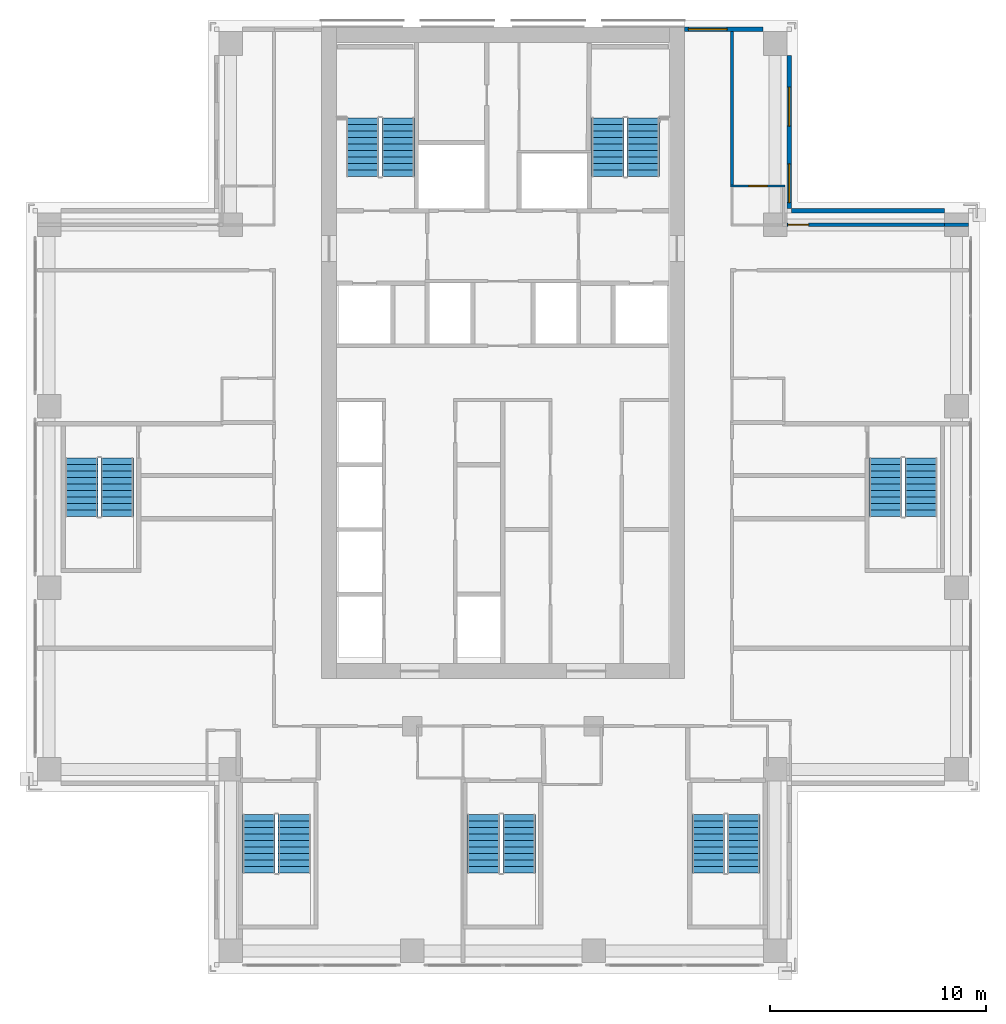
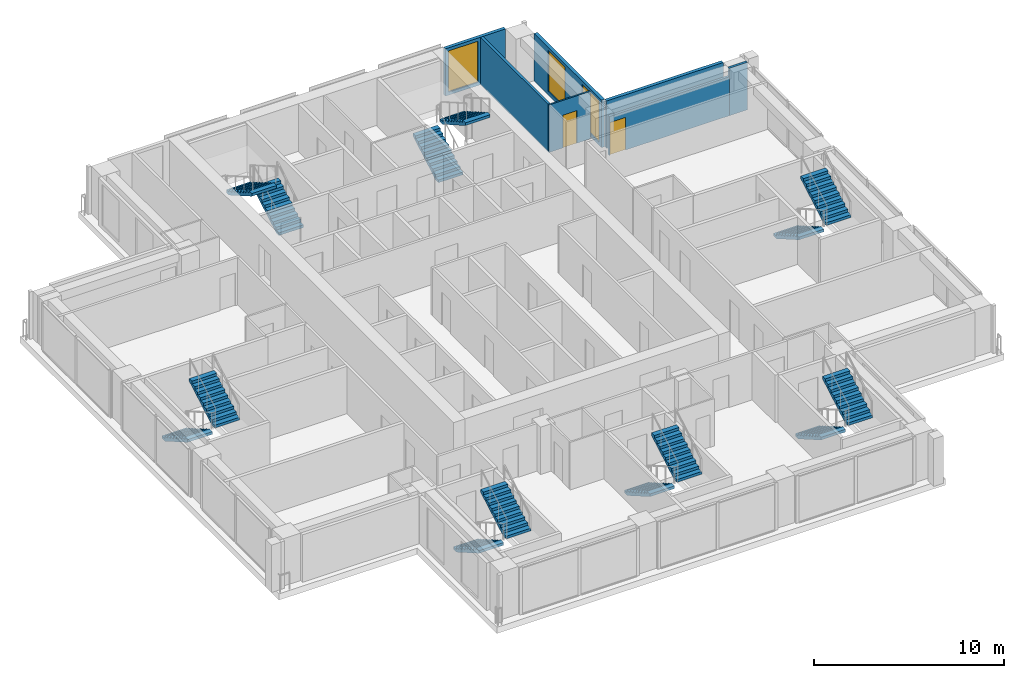
# One storey, part 13 of 16: 14 stair flights, 7 walls, 3 windows, 2 doors, 5 openings, 7 elements without a shape of their own.
"""IFC4 building model written with IfcOpenShell, lengths in metres."""

from ifc_helpers import new_model, si_unit, direction, frame, frame_2d, origin, place, context, subcontext, project, spatial, polyline, rectangle, outline, extrude, material, layer, layer_set, type_object, element, fill, aggregate, save


model = new_model("IFC4")

# Units and contexts
model_context = context("Model", 3, precision=1e-05, world=origin(), true_north=direction((0.0, 1.0)))
body_context = subcontext(model_context, "Body", "Model", "MODEL_VIEW")
ifc_project = project(units=[si_unit("LENGTHUNIT", "METRE"), si_unit("AREAUNIT", "SQUARE_METRE"), si_unit("VOLUMEUNIT", "CUBIC_METRE"), si_unit("PLANEANGLEUNIT", "RADIAN"), si_unit("MASSUNIT", "GRAM", prefix="KILO")], contexts=[model_context])

# Site, building, storey
site_placement = place(None, origin())
site = spatial("IfcSite", under=ifc_project, at=site_placement, CompositionType="ELEMENT")
building_placement = place(site_placement, origin())
building = spatial("IfcBuilding", under=site, at=building_placement, Name="Vermilion Ogive Tower", CompositionType="ELEMENT")
storey_placement = place(building_placement, frame((0.0, 0.0, 136.550048828125)))
storey = spatial("IfcBuildingStorey", under=building, at=storey_placement, Name="L34", CompositionType="ELEMENT", Elevation=136.550048828125)

# Wall, opening, door
ifc_material_1 = material(Name="Gypsum board partition on steel studs", Category="steel")
ifc_layer_1 = layer(ifc_material_1, 0.10009765625)
ifc_layer_set_1 = layer_set([ifc_layer_1], Name="Partition 100 bath")
wall_type_1 = type_object("IfcWallType", Name="Partition 100 bath", PredefinedType="PARTITIONING", material=ifc_layer_set_1)
wall_1_placement = place(storey_placement, frame((10.52490234375, 14.39990234375, 0.0), z_axis=(0.0, 0.0, 1.0), x_axis=(1.0, 0.0, 0.0)))
wall_1 = element("IfcWall", 1, at=wall_1_placement, inside=storey, type_object=wall_type_1, Name="L34-W-W036", PredefinedType="PARTITIONING", context=body_context, shape_type="SweptSolid", body=[
    extrude(rectangle(XDim=2.525146484375, YDim=0.10009765625, at=frame_2d((1.2626953125, 0.0))), origin(), (0.0, 0.0, 1.0), 3.050048828125),
])
opening_1_placement = place(wall_1_placement, frame((0.85009765625, 0.0, 0.0)))
opening_1 = element("IfcOpeningElement", 2, at=opening_1_placement, cuts=wall_1, Name="Opening D3G1016", PredefinedType="OPENING", context=body_context, shape_type="SweptSolid", body=[
    extrude(rectangle(XDim=0.85009765625, YDim=2.10009765625, at=frame_2d((0.425048828125, 1.050048828125))), frame((0.0, 0.06005859375, 0.0), z_axis=(0.0, -1.0, 0.0), x_axis=(1.0, 0.0, 0.0)), (0.0, 0.0, 1.0), 0.1201171875),
])
ifc_material_2 = material(Name="Timber door leaf", Category="wood")
door_type_1 = type_object("IfcDoorType", Name="Bath door 850 x 2100 FD30", OperationType="SINGLE_SWING_LEFT", PredefinedType="DOOR", material=ifc_material_2)
door_1_placement = place(opening_1_placement, origin())
door_1 = element("IfcDoor", 3, at=door_1_placement, inside=storey, type_object=door_type_1, Name="L34-D-D016", OperationType="SINGLE_SWING_RIGHT", OverallHeight=2.10009765625, OverallWidth=0.85009765625, PredefinedType="DOOR", context=body_context, shape_type="SweptSolid", body=[
    extrude(rectangle(XDim=0.85009765625, YDim=2.10009765625, at=frame_2d((0.425048828125, 1.050048828125))), frame((0.0, 0.02490234375, 0.0), z_axis=(0.0, -1.0, 0.0), x_axis=(1.0, 0.0, 0.0)), (0.0, 0.0, 1.0), 0.050048828125),
])
fill(opening_1, door_1)

# Wall
ifc_material_3 = material(Name="Gypsum board partition on steel studs", Category="steel")
ifc_layer_2 = layer(ifc_material_3, 0.14990234375)
ifc_layer_set_2 = layer_set([ifc_layer_2], Name="Partition 150 corridor")
wall_type_2 = type_object("IfcWallType", Name="Partition 150 corridor", PredefinedType="PARTITIONING", material=ifc_layer_set_2)
wall_2_placement = place(storey_placement, frame((10.60009765625, 14.449951171875, 0.0), z_axis=(0.0, 0.0, 1.0), x_axis=(0.0, 1.0, 0.0)))
element("IfcWall", 4, at=wall_2_placement, inside=storey, type_object=wall_type_2, Name="L34-W-W062", PredefinedType="PARTITIONING", context=body_context, shape_type="SweptSolid", body=[
    extrude(rectangle(XDim=7.10009765625, YDim=0.14990234375, at=frame_2d((3.550048828125, 0.0))), origin(), (0.0, 0.0, 1.0), 3.050048828125),
])

# Wall, opening, door
wall_3_placement = place(storey_placement, frame((13.14990234375, 12.60009765625, 0.0), z_axis=(0.0, 0.0, 1.0), x_axis=(1.0, 0.0, 0.0)))
wall_3 = element("IfcWall", 5, at=wall_3_placement, inside=storey, type_object=wall_type_2, Name="L34-W-W034-h1", PredefinedType="PARTITIONING", context=body_context, shape_type="SweptSolid", body=[
    extrude(rectangle(XDim=7.300048828125, YDim=0.14990234375, at=frame_2d((3.64990234375, 0.0))), origin(), (0.0, 0.0, 1.0), 2.5),
])
opening_2_placement = place(wall_3_placement, frame((0.050048828125, 0.0, 0.0)))
opening_2 = element("IfcOpeningElement", 6, at=opening_2_placement, cuts=wall_3, Name="Opening D3G1015", PredefinedType="OPENING", context=body_context, shape_type="SweptSolid", body=[
    extrude(rectangle(XDim=0.949951171875, YDim=2.10009765625, at=frame_2d((0.47509765625, 1.050048828125))), frame((0.0, 0.0849609375, 0.0), z_axis=(0.0, -1.0, 0.0), x_axis=(1.0, 0.0, 0.0)), (0.0, 0.0, 1.0), 0.169921875),
])
ifc_material_4 = material(Name="Timber door leaf", Category="wood")
door_type_2 = type_object("IfcDoorType", Name="Unit door 950 x 2100 FD30S", OperationType="SINGLE_SWING_LEFT", PredefinedType="DOOR", material=ifc_material_4)
door_2_placement = place(opening_2_placement, origin())
door_2 = element("IfcDoor", 7, at=door_2_placement, inside=storey, type_object=door_type_2, Name="L34-D-D015", OperationType="SINGLE_SWING_LEFT", OverallHeight=2.10009765625, OverallWidth=0.949951171875, PredefinedType="DOOR", context=body_context, shape_type="SweptSolid", body=[
    extrude(rectangle(XDim=0.949951171875, YDim=2.10009765625, at=frame_2d((0.47509765625, 1.050048828125))), frame((0.0, 0.02490234375, 0.0), z_axis=(0.0, -1.0, 0.0), x_axis=(1.0, 0.0, 0.0)), (0.0, 0.0, 1.0), 0.050048828125),
])
fill(opening_2, door_2)

# Walls
wall_4_placement = place(storey_placement, frame((20.449951171875, 12.60009765625, 0.0), z_axis=(0.0, 0.0, 1.0), x_axis=(1.0, 0.0, 0.0)))
element("IfcWall", 8, at=wall_4_placement, inside=storey, type_object=wall_type_2, Name="L34-W-W034-h2", PredefinedType="PARTITIONING", context=body_context, shape_type="SweptSolid", body=[
    extrude(rectangle(XDim=1.10009765625, YDim=0.14990234375, at=frame_2d((0.550048828125, 0.0))), origin(), (0.0, 0.0, 1.0), 3.050048828125),
])
ifc_material_5 = material(Name="Aluminium window wall framing", Category="aluminium")
ifc_layer_3 = layer(ifc_material_5, 0.199951171875)
ifc_layer_set_3 = layer_set([ifc_layer_3], Name="Window wall")
wall_type_3 = type_object("IfcWallType", Name="Window wall", PredefinedType="STANDARD", material=ifc_layer_set_3)
wall_5_placement = place(storey_placement, frame((20.449951171875, 13.25, 0.0), z_axis=(0.0, 0.0, 1.0), x_axis=(-1.0, 0.0, 0.0)))
element("IfcWall", 9, at=wall_5_placement, inside=storey, type_object=wall_type_3, Name="Window wall X31", PredefinedType="STANDARD", context=body_context, shape_type="SweptSolid", body=[
    extrude(rectangle(XDim=7.099853515625, YDim=0.199951171875, at=frame_2d((3.5498046875, 0.0))), origin(), (0.0, 0.0, 1.0), 3.050048828125),
])

# Wall, openings, windows
wall_6_placement = place(storey_placement, frame((13.25, 13.35009765625, 0.0), z_axis=(0.0, 0.0, 1.0), x_axis=(0.0, 1.0, 0.0)))
wall_6 = element("IfcWall", 10, at=wall_6_placement, inside=storey, type_object=wall_type_3, Name="Window wall X41", PredefinedType="STANDARD", context=body_context, shape_type="SweptSolid", body=[
    extrude(rectangle(XDim=7.099853515625, YDim=0.199951171875, at=frame_2d((3.5498046875, 0.0))), origin(), (0.0, 0.0, 1.0), 3.050048828125),
])
opening_3_placement = place(wall_6_placement, frame((0.27490234375, 0.0, 0.199951171875)))
opening_3 = element("IfcOpeningElement", 11, at=opening_3_placement, cuts=wall_6, Name="Opening W1-X403", PredefinedType="OPENING", context=body_context, shape_type="SweptSolid", body=[
    extrude(rectangle(XDim=1.800048828125, YDim=2.64990234375, at=frame_2d((0.89990234375, 1.324951171875))), frame((0.0, 0.10986328125, 0.0), z_axis=(0.0, -1.0, 0.0), x_axis=(1.0, 0.0, 0.0)), (0.0, 0.0, 1.0), 0.219970703125),
])
opening_4_placement = place(wall_6_placement, frame((3.824951171875, 0.0, 0.199951171875)))
opening_4 = element("IfcOpeningElement", 12, at=opening_4_placement, cuts=wall_6, Name="Opening W1-X404", PredefinedType="OPENING", context=body_context, shape_type="SweptSolid", body=[
    extrude(rectangle(XDim=1.800048828125, YDim=2.64990234375, at=frame_2d((0.89990234375, 1.324951171875))), frame((0.0, 0.10986328125, 0.0), z_axis=(0.0, -1.0, 0.0), x_axis=(1.0, 0.0, 0.0)), (0.0, 0.0, 1.0), 0.219970703125),
])
ifc_material_6 = material(Name="Aluminium framed double glazing", Category="aluminium")
window_type = type_object("IfcWindowType", Name="Guest window W1", PartitioningType="SINGLE_PANEL", PredefinedType="WINDOW", material=ifc_material_6)
window_1_placement = place(opening_3_placement, origin())
window_1 = element("IfcWindow", 13, at=window_1_placement, inside=storey, type_object=window_type, Name="Window X403", OverallHeight=2.64990234375, OverallWidth=1.800048828125, PartitioningType="SINGLE_PANEL", PredefinedType="WINDOW", context=body_context, shape_type="SweptSolid", body=[
    extrude(rectangle(XDim=1.800048828125, YDim=2.64990234375, at=frame_2d((0.89990234375, 1.324951171875))), frame((0.0, 0.030029296875, 0.0), z_axis=(0.0, -1.0, 0.0), x_axis=(1.0, 0.0, 0.0)), (0.0, 0.0, 1.0), 0.06005859375),
])
fill(opening_3, window_1)
window_2_placement = place(opening_4_placement, origin())
window_2 = element("IfcWindow", 14, at=window_2_placement, inside=storey, type_object=window_type, Name="Window X404", OverallHeight=2.64990234375, OverallWidth=1.800048828125, PartitioningType="SINGLE_PANEL", PredefinedType="WINDOW", context=body_context, shape_type="SweptSolid", body=[
    extrude(rectangle(XDim=1.800048828125, YDim=2.64990234375, at=frame_2d((0.89990234375, 1.324951171875))), frame((0.0, 0.030029296875, 0.0), z_axis=(0.0, -1.0, 0.0), x_axis=(1.0, 0.0, 0.0)), (0.0, 0.0, 1.0), 0.06005859375),
])
fill(opening_4, window_2)

# Wall, opening, window
wall_7_placement = place(storey_placement, frame((12.050048828125, 21.64990234375, 0.0), z_axis=(0.0, 0.0, 1.0), x_axis=(-1.0, 0.0, 0.0)))
wall_7 = element("IfcWall", 15, at=wall_7_placement, inside=storey, type_object=wall_type_3, Name="Window wall N11", PredefinedType="STANDARD", context=body_context, shape_type="SweptSolid", body=[
    extrude(rectangle(XDim=3.650146484375, YDim=0.199951171875, at=frame_2d((1.8251953125, 0.0))), origin(), (0.0, 0.0, 1.0), 3.050048828125),
])
opening_5_placement = place(wall_7_placement, frame((1.669921875, 0.0, 0.199951171875)))
opening_5 = element("IfcOpeningElement", 16, at=opening_5_placement, cuts=wall_7, Name="Opening W1-N102", PredefinedType="OPENING", context=body_context, shape_type="SweptSolid", body=[
    extrude(rectangle(XDim=1.800048828125, YDim=2.64990234375, at=frame_2d((0.89990234375, 1.324951171875))), frame((0.0, 0.10986328125, 0.0), z_axis=(0.0, -1.0, 0.0), x_axis=(1.0, 0.0, 0.0)), (0.0, 0.0, 1.0), 0.219970703125),
])
window_3_placement = place(opening_5_placement, origin())
window_3 = element("IfcWindow", 17, at=window_3_placement, inside=storey, type_object=window_type, Name="Window N102", OverallHeight=2.64990234375, OverallWidth=1.800048828125, PartitioningType="SINGLE_PANEL", PredefinedType="WINDOW", context=body_context, shape_type="SweptSolid", body=[
    extrude(rectangle(XDim=1.800048828125, YDim=2.64990234375, at=frame_2d((0.89990234375, 1.324951171875))), frame((0.0, 0.030029296875, 0.0), z_axis=(0.0, -1.0, 0.0), x_axis=(1.0, 0.0, 0.0)), (0.0, 0.0, 1.0), 0.06005859375),
])
fill(opening_5, window_3)

# Stair, stair flights
ifc_material_7 = material(Name="Concrete B40", Category="concrete")
stair_type = type_object("IfcStairType", Name="Exit stair 1500", PredefinedType="HALF_TURN_STAIR", material=ifc_material_7)
stair_1_placement = place(storey_placement, origin())
stair_1 = element("IfcStair", 18, at=stair_1_placement, inside=storey, type_object=stair_type, Name="L34 Exit Stair ST1", PredefinedType="HALF_TURN_STAIR")
ifc_material_8 = material(Name="Concrete B40", Category="concrete")
stair_flight_type = type_object("IfcStairFlightType", Name="Stair flight 1500", PredefinedType="STRAIGHT", material=ifc_material_8)
stair_flight_1_placement = place(storey_placement, frame((-4.85009765625, 14.85009765625, 0.0), z_axis=(0.0, 0.0, 1.0), x_axis=(0.0, 1.0, 0.0)))
stair_flight_1 = element("IfcStairFlight", 19, at=stair_flight_1_placement, type_object=stair_flight_type, Name="ST1 flight 1", NumberOfRisers=10, NumberOfTreads=9, PredefinedType="STRAIGHT", RiserHeight=0.1725, TreadLength=0.3, context=body_context, shape_type="SweptSolid", body=[
    extrude(outline(polyline([(0.0, 0.0), (0.0, 0.172607421875), (0.300048828125, 0.172607421875), (0.300048828125, 0.344970703125), (0.60009765625, 0.344970703125), (0.60009765625, 0.517578125), (0.89990234375, 0.517578125), (0.89990234375, 0.68994140625), (1.199951171875, 0.68994140625), (1.199951171875, 0.862548828125), (1.5, 0.862548828125), (1.5, 1.034912109375), (1.800048828125, 1.034912109375), (1.800048828125, 1.20751953125), (2.10009765625, 1.20751953125), (2.10009765625, 1.3798828125), (2.39990234375, 1.3798828125), (2.39990234375, 1.552490234375), (2.699951171875, 1.552490234375), (2.699951171875, 1.72509765625), (2.699951171875, 1.379638671875), (0.30078125, 0.0), (0.0, 0.0)])), frame((0.0, 0.75, 0.0), z_axis=(0.0, -1.0, 0.0), x_axis=(1.0, 0.0, 0.0)), (0.0, 0.0, 1.0), 1.5),
])
stair_flight_2_placement = place(storey_placement, frame((-6.5, 17.550048828125, 1.724853515625), z_axis=(0.0, 0.0, 1.0), x_axis=(0.0, -1.0, 0.0)))
stair_flight_2 = element("IfcStairFlight", 20, at=stair_flight_2_placement, type_object=stair_flight_type, Name="ST1 flight 2", NumberOfRisers=10, NumberOfTreads=9, PredefinedType="STRAIGHT", RiserHeight=0.1725, TreadLength=0.3, context=body_context, shape_type="SweptSolid", body=[
    extrude(outline(polyline([(0.0, 0.0), (0.0, 0.172607421875), (0.300048828125, 0.172607421875), (0.300048828125, 0.344970703125), (0.60009765625, 0.344970703125), (0.60009765625, 0.517578125), (0.89990234375, 0.517578125), (0.89990234375, 0.68994140625), (1.199951171875, 0.68994140625), (1.199951171875, 0.862548828125), (1.5, 0.862548828125), (1.5, 1.034912109375), (1.800048828125, 1.034912109375), (1.800048828125, 1.20751953125), (2.10009765625, 1.20751953125), (2.10009765625, 1.3798828125), (2.39990234375, 1.3798828125), (2.39990234375, 1.552490234375), (2.699951171875, 1.552490234375), (2.699951171875, 1.72509765625), (2.699951171875, 1.379638671875), (0.30078125, 0.0), (0.0, 0.0)])), frame((0.0, 0.75, 0.0), z_axis=(0.0, -1.0, 0.0), x_axis=(1.0, 0.0, 0.0)), (0.0, 0.0, 1.0), 1.5),
])
aggregate(stair_1, [stair_flight_1, stair_flight_2])

stair_2_placement = place(storey_placement, origin())
stair_2 = element("IfcStair", 21, at=stair_2_placement, inside=storey, type_object=stair_type, Name="L34 Exit Stair ST2", PredefinedType="HALF_TURN_STAIR")
stair_flight_3_placement = place(storey_placement, frame((4.85009765625, 14.85009765625, 0.0), z_axis=(0.0, 0.0, 1.0), x_axis=(0.0, 1.0, 0.0)))
stair_flight_3 = element("IfcStairFlight", 22, at=stair_flight_3_placement, type_object=stair_flight_type, Name="ST2 flight 1", NumberOfRisers=10, NumberOfTreads=9, PredefinedType="STRAIGHT", RiserHeight=0.1725, TreadLength=0.3, context=body_context, shape_type="SweptSolid", body=[
    extrude(outline(polyline([(0.0, 0.0), (0.0, 0.172607421875), (0.300048828125, 0.172607421875), (0.300048828125, 0.344970703125), (0.60009765625, 0.344970703125), (0.60009765625, 0.517578125), (0.89990234375, 0.517578125), (0.89990234375, 0.68994140625), (1.199951171875, 0.68994140625), (1.199951171875, 0.862548828125), (1.5, 0.862548828125), (1.5, 1.034912109375), (1.800048828125, 1.034912109375), (1.800048828125, 1.20751953125), (2.10009765625, 1.20751953125), (2.10009765625, 1.3798828125), (2.39990234375, 1.3798828125), (2.39990234375, 1.552490234375), (2.699951171875, 1.552490234375), (2.699951171875, 1.72509765625), (2.699951171875, 1.379638671875), (0.30078125, 0.0), (0.0, 0.0)])), frame((0.0, 0.75, 0.0), z_axis=(0.0, -1.0, 0.0), x_axis=(1.0, 0.0, 0.0)), (0.0, 0.0, 1.0), 1.5),
])
stair_flight_4_placement = place(storey_placement, frame((6.5, 17.550048828125, 1.724853515625), z_axis=(0.0, 0.0, 1.0), x_axis=(0.0, -1.0, 0.0)))
stair_flight_4 = element("IfcStairFlight", 23, at=stair_flight_4_placement, type_object=stair_flight_type, Name="ST2 flight 2", NumberOfRisers=10, NumberOfTreads=9, PredefinedType="STRAIGHT", RiserHeight=0.1725, TreadLength=0.3, context=body_context, shape_type="SweptSolid", body=[
    extrude(outline(polyline([(0.0, 0.0), (0.0, 0.172607421875), (0.300048828125, 0.172607421875), (0.300048828125, 0.344970703125), (0.60009765625, 0.344970703125), (0.60009765625, 0.517578125), (0.89990234375, 0.517578125), (0.89990234375, 0.68994140625), (1.199951171875, 0.68994140625), (1.199951171875, 0.862548828125), (1.5, 0.862548828125), (1.5, 1.034912109375), (1.800048828125, 1.034912109375), (1.800048828125, 1.20751953125), (2.10009765625, 1.20751953125), (2.10009765625, 1.3798828125), (2.39990234375, 1.3798828125), (2.39990234375, 1.552490234375), (2.699951171875, 1.552490234375), (2.699951171875, 1.72509765625), (2.699951171875, 1.379638671875), (0.30078125, 0.0), (0.0, 0.0)])), frame((0.0, 0.75, 0.0), z_axis=(0.0, -1.0, 0.0), x_axis=(1.0, 0.0, 0.0)), (0.0, 0.0, 1.0), 1.5),
])
aggregate(stair_2, [stair_flight_3, stair_flight_4])

stair_3_placement = place(storey_placement, origin())
stair_3 = element("IfcStair", 24, at=stair_3_placement, inside=storey, type_object=stair_type, Name="L34 Exit Stair ST3", PredefinedType="HALF_TURN_STAIR")
stair_flight_5_placement = place(storey_placement, frame((-11.300048828125, -14.699951171875, 0.0), z_axis=(0.0, 0.0, 1.0), x_axis=(0.0, -1.0, 0.0)))
stair_flight_5 = element("IfcStairFlight", 25, at=stair_flight_5_placement, type_object=stair_flight_type, Name="ST3 flight 1", NumberOfRisers=10, NumberOfTreads=9, PredefinedType="STRAIGHT", RiserHeight=0.1725, TreadLength=0.3, context=body_context, shape_type="SweptSolid", body=[
    extrude(outline(polyline([(0.0, 0.0), (0.0, 0.172607421875), (0.300048828125, 0.172607421875), (0.300048828125, 0.344970703125), (0.60009765625, 0.344970703125), (0.60009765625, 0.517578125), (0.89990234375, 0.517578125), (0.89990234375, 0.68994140625), (1.199951171875, 0.68994140625), (1.199951171875, 0.862548828125), (1.5, 0.862548828125), (1.5, 1.034912109375), (1.800048828125, 1.034912109375), (1.800048828125, 1.20751953125), (2.10009765625, 1.20751953125), (2.10009765625, 1.3798828125), (2.39990234375, 1.3798828125), (2.39990234375, 1.552490234375), (2.699951171875, 1.552490234375), (2.699951171875, 1.72509765625), (2.699951171875, 1.379638671875), (0.30078125, 0.0), (0.0, 0.0)])), frame((0.0, 0.75, 0.0), z_axis=(0.0, -1.0, 0.0), x_axis=(1.0, 0.0, 0.0)), (0.0, 0.0, 1.0), 1.5),
])
stair_flight_6_placement = place(storey_placement, frame((-9.64990234375, -17.39990234375, 1.724853515625), z_axis=(0.0, 0.0, 1.0), x_axis=(0.0, 1.0, 0.0)))
stair_flight_6 = element("IfcStairFlight", 26, at=stair_flight_6_placement, type_object=stair_flight_type, Name="ST3 flight 2", NumberOfRisers=10, NumberOfTreads=9, PredefinedType="STRAIGHT", RiserHeight=0.1725, TreadLength=0.3, context=body_context, shape_type="SweptSolid", body=[
    extrude(outline(polyline([(0.0, 0.0), (0.0, 0.172607421875), (0.300048828125, 0.172607421875), (0.300048828125, 0.344970703125), (0.60009765625, 0.344970703125), (0.60009765625, 0.517578125), (0.89990234375, 0.517578125), (0.89990234375, 0.68994140625), (1.199951171875, 0.68994140625), (1.199951171875, 0.862548828125), (1.5, 0.862548828125), (1.5, 1.034912109375), (1.800048828125, 1.034912109375), (1.800048828125, 1.20751953125), (2.10009765625, 1.20751953125), (2.10009765625, 1.3798828125), (2.39990234375, 1.3798828125), (2.39990234375, 1.552490234375), (2.699951171875, 1.552490234375), (2.699951171875, 1.72509765625), (2.699951171875, 1.379638671875), (0.30078125, 0.0), (0.0, 0.0)])), frame((0.0, 0.75, 0.0), z_axis=(0.0, -1.0, 0.0), x_axis=(1.0, 0.0, 0.0)), (0.0, 0.0, 1.0), 1.5),
])
aggregate(stair_3, [stair_flight_5, stair_flight_6])

stair_4_placement = place(storey_placement, origin())
stair_4 = element("IfcStair", 27, at=stair_4_placement, inside=storey, type_object=stair_type, Name="L34 Exit Stair ST4", PredefinedType="HALF_TURN_STAIR")
stair_flight_7_placement = place(storey_placement, frame((-0.89990234375, -14.699951171875, 0.0), z_axis=(0.0, 0.0, 1.0), x_axis=(0.0, -1.0, 0.0)))
stair_flight_7 = element("IfcStairFlight", 28, at=stair_flight_7_placement, type_object=stair_flight_type, Name="ST4 flight 1", NumberOfRisers=10, NumberOfTreads=9, PredefinedType="STRAIGHT", RiserHeight=0.1725, TreadLength=0.3, context=body_context, shape_type="SweptSolid", body=[
    extrude(outline(polyline([(0.0, 0.0), (0.0, 0.172607421875), (0.300048828125, 0.172607421875), (0.300048828125, 0.344970703125), (0.60009765625, 0.344970703125), (0.60009765625, 0.517578125), (0.89990234375, 0.517578125), (0.89990234375, 0.68994140625), (1.199951171875, 0.68994140625), (1.199951171875, 0.862548828125), (1.5, 0.862548828125), (1.5, 1.034912109375), (1.800048828125, 1.034912109375), (1.800048828125, 1.20751953125), (2.10009765625, 1.20751953125), (2.10009765625, 1.3798828125), (2.39990234375, 1.3798828125), (2.39990234375, 1.552490234375), (2.699951171875, 1.552490234375), (2.699951171875, 1.72509765625), (2.699951171875, 1.379638671875), (0.30078125, 0.0), (0.0, 0.0)])), frame((0.0, 0.75, 0.0), z_axis=(0.0, -1.0, 0.0), x_axis=(1.0, 0.0, 0.0)), (0.0, 0.0, 1.0), 1.5),
])
stair_flight_8_placement = place(storey_placement, frame((0.75, -17.39990234375, 1.724853515625), z_axis=(0.0, 0.0, 1.0), x_axis=(0.0, 1.0, 0.0)))
stair_flight_8 = element("IfcStairFlight", 29, at=stair_flight_8_placement, type_object=stair_flight_type, Name="ST4 flight 2", NumberOfRisers=10, NumberOfTreads=9, PredefinedType="STRAIGHT", RiserHeight=0.1725, TreadLength=0.3, context=body_context, shape_type="SweptSolid", body=[
    extrude(outline(polyline([(0.0, 0.0), (0.0, 0.172607421875), (0.300048828125, 0.172607421875), (0.300048828125, 0.344970703125), (0.60009765625, 0.344970703125), (0.60009765625, 0.517578125), (0.89990234375, 0.517578125), (0.89990234375, 0.68994140625), (1.199951171875, 0.68994140625), (1.199951171875, 0.862548828125), (1.5, 0.862548828125), (1.5, 1.034912109375), (1.800048828125, 1.034912109375), (1.800048828125, 1.20751953125), (2.10009765625, 1.20751953125), (2.10009765625, 1.3798828125), (2.39990234375, 1.3798828125), (2.39990234375, 1.552490234375), (2.699951171875, 1.552490234375), (2.699951171875, 1.72509765625), (2.699951171875, 1.379638671875), (0.30078125, 0.0), (0.0, 0.0)])), frame((0.0, 0.75, 0.0), z_axis=(0.0, -1.0, 0.0), x_axis=(1.0, 0.0, 0.0)), (0.0, 0.0, 1.0), 1.5),
])
aggregate(stair_4, [stair_flight_7, stair_flight_8])

stair_5_placement = place(storey_placement, origin())
stair_5 = element("IfcStair", 30, at=stair_5_placement, inside=storey, type_object=stair_type, Name="L34 Exit Stair ST5", PredefinedType="HALF_TURN_STAIR")
stair_flight_9_placement = place(storey_placement, frame((9.5, -14.699951171875, 0.0), z_axis=(0.0, 0.0, 1.0), x_axis=(0.0, -1.0, 0.0)))
stair_flight_9 = element("IfcStairFlight", 31, at=stair_flight_9_placement, type_object=stair_flight_type, Name="ST5 flight 1", NumberOfRisers=10, NumberOfTreads=9, PredefinedType="STRAIGHT", RiserHeight=0.1725, TreadLength=0.3, context=body_context, shape_type="SweptSolid", body=[
    extrude(outline(polyline([(0.0, 0.0), (0.0, 0.172607421875), (0.300048828125, 0.172607421875), (0.300048828125, 0.344970703125), (0.60009765625, 0.344970703125), (0.60009765625, 0.517578125), (0.89990234375, 0.517578125), (0.89990234375, 0.68994140625), (1.199951171875, 0.68994140625), (1.199951171875, 0.862548828125), (1.5, 0.862548828125), (1.5, 1.034912109375), (1.800048828125, 1.034912109375), (1.800048828125, 1.20751953125), (2.10009765625, 1.20751953125), (2.10009765625, 1.3798828125), (2.39990234375, 1.3798828125), (2.39990234375, 1.552490234375), (2.699951171875, 1.552490234375), (2.699951171875, 1.72509765625), (2.699951171875, 1.379638671875), (0.30078125, 0.0), (0.0, 0.0)])), frame((0.0, 0.75, 0.0), z_axis=(0.0, -1.0, 0.0), x_axis=(1.0, 0.0, 0.0)), (0.0, 0.0, 1.0), 1.5),
])
stair_flight_10_placement = place(storey_placement, frame((11.14990234375, -17.39990234375, 1.724853515625), z_axis=(0.0, 0.0, 1.0), x_axis=(0.0, 1.0, 0.0)))
stair_flight_10 = element("IfcStairFlight", 32, at=stair_flight_10_placement, type_object=stair_flight_type, Name="ST5 flight 2", NumberOfRisers=10, NumberOfTreads=9, PredefinedType="STRAIGHT", RiserHeight=0.1725, TreadLength=0.3, context=body_context, shape_type="SweptSolid", body=[
    extrude(outline(polyline([(0.0, 0.0), (0.0, 0.172607421875), (0.300048828125, 0.172607421875), (0.300048828125, 0.344970703125), (0.60009765625, 0.344970703125), (0.60009765625, 0.517578125), (0.89990234375, 0.517578125), (0.89990234375, 0.68994140625), (1.199951171875, 0.68994140625), (1.199951171875, 0.862548828125), (1.5, 0.862548828125), (1.5, 1.034912109375), (1.800048828125, 1.034912109375), (1.800048828125, 1.20751953125), (2.10009765625, 1.20751953125), (2.10009765625, 1.3798828125), (2.39990234375, 1.3798828125), (2.39990234375, 1.552490234375), (2.699951171875, 1.552490234375), (2.699951171875, 1.72509765625), (2.699951171875, 1.379638671875), (0.30078125, 0.0), (0.0, 0.0)])), frame((0.0, 0.75, 0.0), z_axis=(0.0, -1.0, 0.0), x_axis=(1.0, 0.0, 0.0)), (0.0, 0.0, 1.0), 1.5),
])
aggregate(stair_5, [stair_flight_9, stair_flight_10])

stair_6_placement = place(storey_placement, origin())
stair_6 = element("IfcStair", 33, at=stair_6_placement, inside=storey, type_object=stair_type, Name="L34 Exit Stair ST8", PredefinedType="HALF_TURN_STAIR")
stair_flight_11_placement = place(storey_placement, frame((17.699951171875, 1.800048828125, 0.0), z_axis=(0.0, 0.0, 1.0), x_axis=(0.0, -1.0, 0.0)))
stair_flight_11 = element("IfcStairFlight", 34, at=stair_flight_11_placement, type_object=stair_flight_type, Name="ST8 flight 1", NumberOfRisers=10, NumberOfTreads=9, PredefinedType="STRAIGHT", RiserHeight=0.1725, TreadLength=0.3, context=body_context, shape_type="SweptSolid", body=[
    extrude(outline(polyline([(0.0, 0.0), (0.0, 0.172607421875), (0.300048828125, 0.172607421875), (0.300048828125, 0.344970703125), (0.60009765625, 0.344970703125), (0.60009765625, 0.517578125), (0.89990234375, 0.517578125), (0.89990234375, 0.68994140625), (1.199951171875, 0.68994140625), (1.199951171875, 0.862548828125), (1.5, 0.862548828125), (1.5, 1.034912109375), (1.800048828125, 1.034912109375), (1.800048828125, 1.20751953125), (2.10009765625, 1.20751953125), (2.10009765625, 1.3798828125), (2.39990234375, 1.3798828125), (2.39990234375, 1.552490234375), (2.699951171875, 1.552490234375), (2.699951171875, 1.72509765625), (2.699951171875, 1.379638671875), (0.30078125, 0.0), (0.0, 0.0)])), frame((0.0, 0.75, 0.0), z_axis=(0.0, -1.0, 0.0), x_axis=(1.0, 0.0, 0.0)), (0.0, 0.0, 1.0), 1.5),
])
stair_flight_12_placement = place(storey_placement, frame((19.35009765625, -0.89990234375, 1.724853515625), z_axis=(0.0, 0.0, 1.0), x_axis=(0.0, 1.0, 0.0)))
stair_flight_12 = element("IfcStairFlight", 35, at=stair_flight_12_placement, type_object=stair_flight_type, Name="ST8 flight 2", NumberOfRisers=10, NumberOfTreads=9, PredefinedType="STRAIGHT", RiserHeight=0.1725, TreadLength=0.3, context=body_context, shape_type="SweptSolid", body=[
    extrude(outline(polyline([(0.0, 0.0), (0.0, 0.172607421875), (0.300048828125, 0.172607421875), (0.300048828125, 0.344970703125), (0.60009765625, 0.344970703125), (0.60009765625, 0.517578125), (0.89990234375, 0.517578125), (0.89990234375, 0.68994140625), (1.199951171875, 0.68994140625), (1.199951171875, 0.862548828125), (1.5, 0.862548828125), (1.5, 1.034912109375), (1.800048828125, 1.034912109375), (1.800048828125, 1.20751953125), (2.10009765625, 1.20751953125), (2.10009765625, 1.3798828125), (2.39990234375, 1.3798828125), (2.39990234375, 1.552490234375), (2.699951171875, 1.552490234375), (2.699951171875, 1.72509765625), (2.699951171875, 1.379638671875), (0.30078125, 0.0), (0.0, 0.0)])), frame((0.0, 0.75, 0.0), z_axis=(0.0, -1.0, 0.0), x_axis=(1.0, 0.0, 0.0)), (0.0, 0.0, 1.0), 1.5),
])
aggregate(stair_6, [stair_flight_11, stair_flight_12])

stair_7_placement = place(storey_placement, origin())
stair_7 = element("IfcStair", 36, at=stair_7_placement, inside=storey, type_object=stair_type, Name="L34 Exit Stair ST9", PredefinedType="HALF_TURN_STAIR")
stair_flight_13_placement = place(storey_placement, frame((-19.5, 1.800048828125, 0.0), z_axis=(0.0, 0.0, 1.0), x_axis=(0.0, -1.0, 0.0)))
stair_flight_13 = element("IfcStairFlight", 37, at=stair_flight_13_placement, type_object=stair_flight_type, Name="ST9 flight 1", NumberOfRisers=10, NumberOfTreads=9, PredefinedType="STRAIGHT", RiserHeight=0.1725, TreadLength=0.3, context=body_context, shape_type="SweptSolid", body=[
    extrude(outline(polyline([(0.0, 0.0), (0.0, 0.172607421875), (0.300048828125, 0.172607421875), (0.300048828125, 0.344970703125), (0.60009765625, 0.344970703125), (0.60009765625, 0.517578125), (0.89990234375, 0.517578125), (0.89990234375, 0.68994140625), (1.199951171875, 0.68994140625), (1.199951171875, 0.862548828125), (1.5, 0.862548828125), (1.5, 1.034912109375), (1.800048828125, 1.034912109375), (1.800048828125, 1.20751953125), (2.10009765625, 1.20751953125), (2.10009765625, 1.3798828125), (2.39990234375, 1.3798828125), (2.39990234375, 1.552490234375), (2.699951171875, 1.552490234375), (2.699951171875, 1.72509765625), (2.699951171875, 1.379638671875), (0.30078125, 0.0), (0.0, 0.0)])), frame((0.0, 0.75, 0.0), z_axis=(0.0, -1.0, 0.0), x_axis=(1.0, 0.0, 0.0)), (0.0, 0.0, 1.0), 1.5),
])
stair_flight_14_placement = place(storey_placement, frame((-17.85009765625, -0.89990234375, 1.724853515625), z_axis=(0.0, 0.0, 1.0), x_axis=(0.0, 1.0, 0.0)))
stair_flight_14 = element("IfcStairFlight", 38, at=stair_flight_14_placement, type_object=stair_flight_type, Name="ST9 flight 2", NumberOfRisers=10, NumberOfTreads=9, PredefinedType="STRAIGHT", RiserHeight=0.1725, TreadLength=0.3, context=body_context, shape_type="SweptSolid", body=[
    extrude(outline(polyline([(0.0, 0.0), (0.0, 0.172607421875), (0.300048828125, 0.172607421875), (0.300048828125, 0.344970703125), (0.60009765625, 0.344970703125), (0.60009765625, 0.517578125), (0.89990234375, 0.517578125), (0.89990234375, 0.68994140625), (1.199951171875, 0.68994140625), (1.199951171875, 0.862548828125), (1.5, 0.862548828125), (1.5, 1.034912109375), (1.800048828125, 1.034912109375), (1.800048828125, 1.20751953125), (2.10009765625, 1.20751953125), (2.10009765625, 1.3798828125), (2.39990234375, 1.3798828125), (2.39990234375, 1.552490234375), (2.699951171875, 1.552490234375), (2.699951171875, 1.72509765625), (2.699951171875, 1.379638671875), (0.30078125, 0.0), (0.0, 0.0)])), frame((0.0, 0.75, 0.0), z_axis=(0.0, -1.0, 0.0), x_axis=(1.0, 0.0, 0.0)), (0.0, 0.0, 1.0), 1.5),
])
aggregate(stair_7, [stair_flight_13, stair_flight_14])

save(model, "model.ifc")
